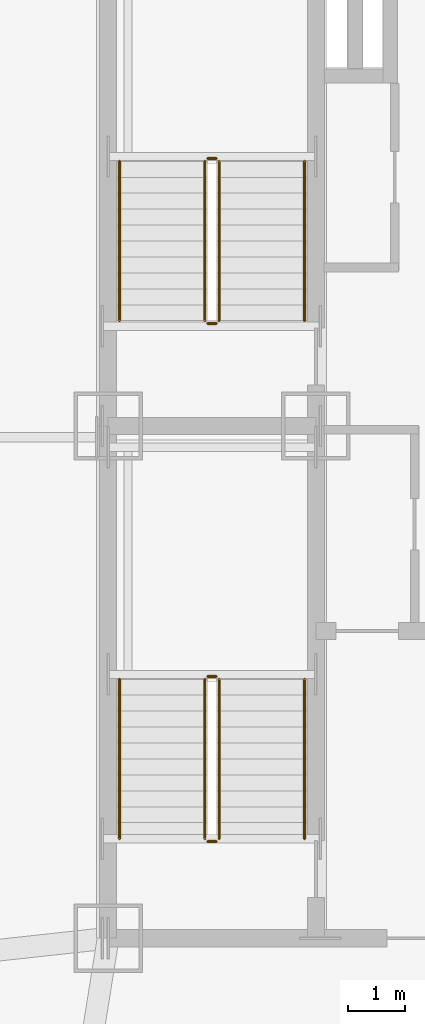
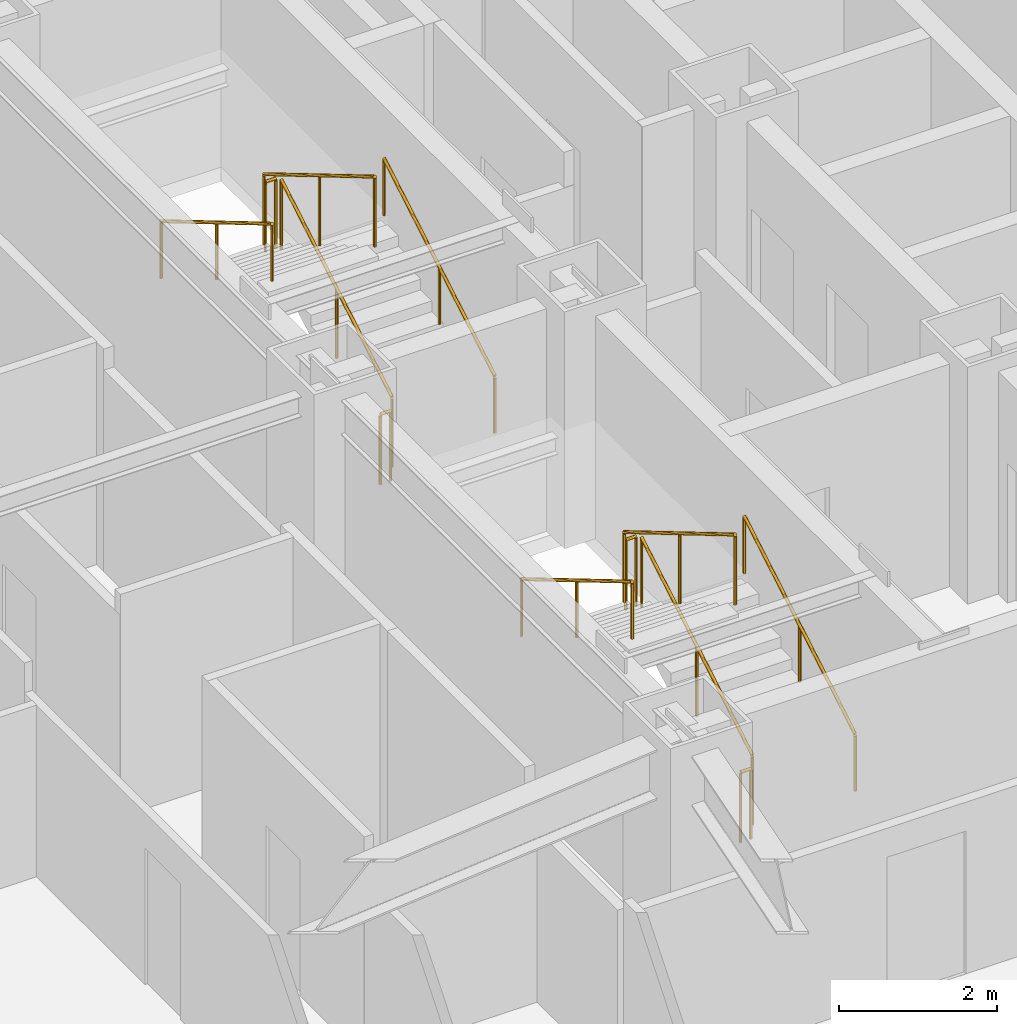
# One storey, part 12 of 12: 12 railings.
"""IFC4 building model written with IfcOpenShell, lengths in metres."""

from ifc_helpers import new_model, si_unit, direction, frame, origin, origin_2d, place, context, subcontext, project, spatial, circle, extrude, material, type_object, element, save


model = new_model("IFC4")

# Units and contexts
model_context = context("Model", 3, precision=1e-05, world=origin(), true_north=direction((0.0, 1.0)))
body_context = subcontext(model_context, "Body", "Model", "MODEL_VIEW")
ifc_project = project(units=[si_unit("LENGTHUNIT", "METRE"), si_unit("AREAUNIT", "SQUARE_METRE"), si_unit("VOLUMEUNIT", "CUBIC_METRE"), si_unit("PLANEANGLEUNIT", "RADIAN"), si_unit("MASSUNIT", "GRAM", prefix="KILO")], contexts=[model_context])

# Site, building, storey
site_placement = place(None, origin())
site = spatial("IfcSite", under=ifc_project, at=site_placement, CompositionType="ELEMENT")
building_placement = place(site_placement, origin())
building = spatial("IfcBuilding", under=site, at=building_placement, Name="Khamvora Tower", CompositionType="ELEMENT")
storey_placement = place(building_placement, frame((0.0, 0.0, 127.449951171875)))
storey = spatial("IfcBuildingStorey", under=building, at=storey_placement, Name="L32", CompositionType="ELEMENT", Elevation=127.449951171875)

# Railings
ifc_material_1 = material(Name="Brushed Stainless Steel 316", Category="steel")
railing_type_1 = type_object("IfcRailingType", Name="RAL-HDR-920", PredefinedType="HANDRAIL", material=ifc_material_1)
railing_1_placement = place(storey_placement, frame((32.449951171875, 20.75, 0.166015625)))
element("IfcRailing", 1, at=railing_1_placement, inside=storey, type_object=railing_type_1, Name="L32 ST-01 stair handrail 1", PredefinedType="HANDRAIL", context=body_context, shape_type="SweptSolid", body=[
    extrude(circle(Radius=0.02392578125, at=origin_2d()), frame((0.0, 0.0, 0.8759765625), z_axis=(0.0, 0.860339051648, 0.50972219513), x_axis=(-1.0, 0.0, 0.0)), (0.0, 0.0, 1.0), 3.254638671875),
    extrude(circle(Radius=0.02099609375, at=origin_2d()), origin(), (0.0, 0.0, 1.0), 0.851806640625),
    extrude(circle(Radius=0.02099609375, at=origin_2d()), frame((0.0, 1.39990234375, 0.82958984375)), (0.0, 0.0, 1.0), 0.851806640625),
    extrude(circle(Radius=0.02099609375, at=origin_2d()), frame((0.0, 2.800048828125, 1.658935546875)), (0.0, 0.0, 1.0), 0.851806640625),
])
railing_2_placement = place(storey_placement, frame((29.199951171875, 23.550048828125, 1.990966796875)))
element("IfcRailing", 2, at=railing_2_placement, inside=storey, type_object=railing_type_1, Name="L32 ST-01 stair handrail 2", PredefinedType="HANDRAIL", context=body_context, shape_type="SweptSolid", body=[
    extrude(circle(Radius=0.02392578125, at=origin_2d()), frame((0.0, 0.0, 0.8759765625), z_axis=(0.0, -0.860306154799, 0.50977771628), x_axis=(1.0, 0.0, 0.0)), (0.0, 0.0, 1.0), 3.254638671875),
    extrude(circle(Radius=0.02099609375, at=origin_2d()), origin(), (0.0, 0.0, 1.0), 0.851806640625),
    extrude(circle(Radius=0.02099609375, at=origin_2d()), frame((0.0, -1.39990234375, 0.82958984375)), (0.0, 0.0, 1.0), 0.851806640625),
    extrude(circle(Radius=0.02099609375, at=origin_2d()), frame((0.0, -2.800048828125, 1.6591796875)), (0.0, 0.0, 1.0), 0.851806640625),
])
railing_3_placement = place(storey_placement, frame((32.449951171875, 29.85009765625, 0.166015625)))
element("IfcRailing", 3, at=railing_3_placement, inside=storey, type_object=railing_type_1, Name="L32 ST-02 stair handrail 1", PredefinedType="HANDRAIL", context=body_context, shape_type="SweptSolid", body=[
    extrude(circle(Radius=0.02392578125, at=origin_2d()), frame((0.0, 0.0, 0.8759765625), z_axis=(0.0, 0.860319559791, 0.509755093197), x_axis=(-1.0, 0.0, 0.0)), (0.0, 0.0, 1.0), 3.25439453125),
    extrude(circle(Radius=0.02099609375, at=origin_2d()), origin(), (0.0, 0.0, 1.0), 0.851806640625),
    extrude(circle(Radius=0.02099609375, at=origin_2d()), frame((0.0, 1.39990234375, 0.82958984375)), (0.0, 0.0, 1.0), 0.851806640625),
    extrude(circle(Radius=0.02099609375, at=origin_2d()), frame((0.0, 2.7998046875, 1.658935546875)), (0.0, 0.0, 1.0), 0.851806640625),
])
railing_4_placement = place(storey_placement, frame((29.199951171875, 32.64990234375, 1.990966796875)))
element("IfcRailing", 4, at=railing_4_placement, inside=storey, type_object=railing_type_1, Name="L32 ST-02 stair handrail 2", PredefinedType="HANDRAIL", context=body_context, shape_type="SweptSolid", body=[
    extrude(circle(Radius=0.02392578125, at=origin_2d()), frame((0.0, 0.0, 0.8759765625), z_axis=(0.0, -0.860286659441, 0.509810615413), x_axis=(1.0, 0.0, 0.0)), (0.0, 0.0, 1.0), 3.25439453125),
    extrude(circle(Radius=0.02099609375, at=origin_2d()), origin(), (0.0, 0.0, 1.0), 0.851806640625),
    extrude(circle(Radius=0.02099609375, at=origin_2d()), frame((0.0, -1.39990234375, 0.82958984375)), (0.0, 0.0, 1.0), 0.851806640625),
    extrude(circle(Radius=0.02099609375, at=origin_2d()), frame((0.0, -2.7998046875, 1.6591796875)), (0.0, 0.0, 1.0), 0.851806640625),
])
ifc_material_2 = material(Name="Stainless Steel 316", Category="steel")
railing_type_2 = type_object("IfcRailingType", Name="RAL-STG-1100", PredefinedType="GUARDRAIL", material=ifc_material_2)
railing_5_placement = place(storey_placement, frame((30.949951171875, 20.75, 0.166015625)))
element("IfcRailing", 5, at=railing_5_placement, inside=storey, type_object=railing_type_2, Name="L32 ST-01 stair guard 1", PredefinedType="GUARDRAIL", context=body_context, shape_type="SweptSolid", body=[
    extrude(circle(Radius=0.02392578125, at=origin_2d()), frame((0.0, 0.0, 1.076171875), z_axis=(0.0, 0.860339051648, 0.50972219513), x_axis=(-1.0, 0.0, 0.0)), (0.0, 0.0, 1.0), 3.254638671875),
    extrude(circle(Radius=0.02099609375, at=origin_2d()), origin(), (0.0, 0.0, 1.0), 1.052001953125),
    extrude(circle(Radius=0.02099609375, at=origin_2d()), frame((0.0, 1.39990234375, 0.82958984375)), (0.0, 0.0, 1.0), 1.052001953125),
    extrude(circle(Radius=0.02099609375, at=origin_2d()), frame((0.0, 2.800048828125, 1.658935546875)), (0.0, 0.0, 1.0), 1.052001953125),
])
railing_6_placement = place(storey_placement, frame((30.89990234375, 23.60009765625, 1.824951171875)))
element("IfcRailing", 6, at=railing_6_placement, inside=storey, type_object=railing_type_2, Name="L32 ST-01 stair guard 2", PredefinedType="GUARDRAIL", context=body_context, shape_type="SweptSolid", body=[
    extrude(circle(Radius=0.02392578125, at=origin_2d()), frame((0.0, 0.0, 1.076171875), z_axis=(-1.0, 0.0, 0.0), x_axis=(0.0, -1.0, 0.0)), (0.0, 0.0, 1.0), 0.14990234375),
    extrude(circle(Radius=0.02099609375, at=origin_2d()), origin(), (0.0, 0.0, 1.0), 1.052001953125),
    extrude(circle(Radius=0.02099609375, at=origin_2d()), frame((-0.14990234375, 0.0, 0.0)), (0.0, 0.0, 1.0), 1.052001953125),
])
railing_7_placement = place(storey_placement, frame((30.699951171875, 23.550048828125, 1.990966796875)))
element("IfcRailing", 7, at=railing_7_placement, inside=storey, type_object=railing_type_2, Name="L32 ST-01 stair guard 3", PredefinedType="GUARDRAIL", context=body_context, shape_type="SweptSolid", body=[
    extrude(circle(Radius=0.02392578125, at=origin_2d()), frame((0.0, 0.0, 1.076171875), z_axis=(0.0, -0.860306154799, 0.50977771628), x_axis=(1.0, 0.0, 0.0)), (0.0, 0.0, 1.0), 3.254638671875),
    extrude(circle(Radius=0.02099609375, at=origin_2d()), origin(), (0.0, 0.0, 1.0), 1.052001953125),
    extrude(circle(Radius=0.02099609375, at=origin_2d()), frame((0.0, -1.39990234375, 0.82958984375)), (0.0, 0.0, 1.0), 1.052001953125),
    extrude(circle(Radius=0.02099609375, at=origin_2d()), frame((0.0, -2.800048828125, 1.6591796875)), (0.0, 0.0, 1.0), 1.052001953125),
])
railing_8_placement = place(storey_placement, frame((30.89990234375, 20.699951171875, 0.0)))
element("IfcRailing", 8, at=railing_8_placement, inside=storey, type_object=railing_type_2, Name="L32 ST-01 stair guard 4", PredefinedType="GUARDRAIL", context=body_context, shape_type="SweptSolid", body=[
    extrude(circle(Radius=0.02392578125, at=origin_2d()), frame((0.0, 0.0, 1.076171875), z_axis=(-1.0, 0.0, 0.0), x_axis=(0.0, -1.0, 0.0)), (0.0, 0.0, 1.0), 0.14990234375),
    extrude(circle(Radius=0.02099609375, at=origin_2d()), origin(), (0.0, 0.0, 1.0), 1.052001953125),
    extrude(circle(Radius=0.02099609375, at=origin_2d()), frame((-0.14990234375, 0.0, 0.0)), (0.0, 0.0, 1.0), 1.052001953125),
])
railing_9_placement = place(storey_placement, frame((30.949951171875, 29.85009765625, 0.166015625)))
element("IfcRailing", 9, at=railing_9_placement, inside=storey, type_object=railing_type_2, Name="L32 ST-02 stair guard 1", PredefinedType="GUARDRAIL", context=body_context, shape_type="SweptSolid", body=[
    extrude(circle(Radius=0.02392578125, at=origin_2d()), frame((0.0, 0.0, 1.076171875), z_axis=(0.0, 0.860319559791, 0.509755093197), x_axis=(-1.0, 0.0, 0.0)), (0.0, 0.0, 1.0), 3.25439453125),
    extrude(circle(Radius=0.02099609375, at=origin_2d()), origin(), (0.0, 0.0, 1.0), 1.052001953125),
    extrude(circle(Radius=0.02099609375, at=origin_2d()), frame((0.0, 1.39990234375, 0.82958984375)), (0.0, 0.0, 1.0), 1.052001953125),
    extrude(circle(Radius=0.02099609375, at=origin_2d()), frame((0.0, 2.7998046875, 1.658935546875)), (0.0, 0.0, 1.0), 1.052001953125),
])
railing_10_placement = place(storey_placement, frame((30.89990234375, 32.699951171875, 1.824951171875)))
element("IfcRailing", 10, at=railing_10_placement, inside=storey, type_object=railing_type_2, Name="L32 ST-02 stair guard 2", PredefinedType="GUARDRAIL", context=body_context, shape_type="SweptSolid", body=[
    extrude(circle(Radius=0.02392578125, at=origin_2d()), frame((0.0, 0.0, 1.076171875), z_axis=(-1.0, 0.0, 0.0), x_axis=(0.0, -1.0, 0.0)), (0.0, 0.0, 1.0), 0.14990234375),
    extrude(circle(Radius=0.02099609375, at=origin_2d()), origin(), (0.0, 0.0, 1.0), 1.052001953125),
    extrude(circle(Radius=0.02099609375, at=origin_2d()), frame((-0.14990234375, 0.0, 0.0)), (0.0, 0.0, 1.0), 1.052001953125),
])
railing_11_placement = place(storey_placement, frame((30.699951171875, 32.64990234375, 1.990966796875)))
element("IfcRailing", 11, at=railing_11_placement, inside=storey, type_object=railing_type_2, Name="L32 ST-02 stair guard 3", PredefinedType="GUARDRAIL", context=body_context, shape_type="SweptSolid", body=[
    extrude(circle(Radius=0.02392578125, at=origin_2d()), frame((0.0, 0.0, 1.076171875), z_axis=(0.0, -0.860286659441, 0.509810615413), x_axis=(1.0, 0.0, 0.0)), (0.0, 0.0, 1.0), 3.25439453125),
    extrude(circle(Radius=0.02099609375, at=origin_2d()), origin(), (0.0, 0.0, 1.0), 1.052001953125),
    extrude(circle(Radius=0.02099609375, at=origin_2d()), frame((0.0, -1.39990234375, 0.82958984375)), (0.0, 0.0, 1.0), 1.052001953125),
    extrude(circle(Radius=0.02099609375, at=origin_2d()), frame((0.0, -2.7998046875, 1.6591796875)), (0.0, 0.0, 1.0), 1.052001953125),
])
railing_12_placement = place(storey_placement, frame((30.89990234375, 29.800048828125, 0.0)))
element("IfcRailing", 12, at=railing_12_placement, inside=storey, type_object=railing_type_2, Name="L32 ST-02 stair guard 4", PredefinedType="GUARDRAIL", context=body_context, shape_type="SweptSolid", body=[
    extrude(circle(Radius=0.02392578125, at=origin_2d()), frame((0.0, 0.0, 1.076171875), z_axis=(-1.0, 0.0, 0.0), x_axis=(0.0, -1.0, 0.0)), (0.0, 0.0, 1.0), 0.14990234375),
    extrude(circle(Radius=0.02099609375, at=origin_2d()), origin(), (0.0, 0.0, 1.0), 1.052001953125),
    extrude(circle(Radius=0.02099609375, at=origin_2d()), frame((-0.14990234375, 0.0, 0.0)), (0.0, 0.0, 1.0), 1.052001953125),
])

save(model, "model.ifc")
